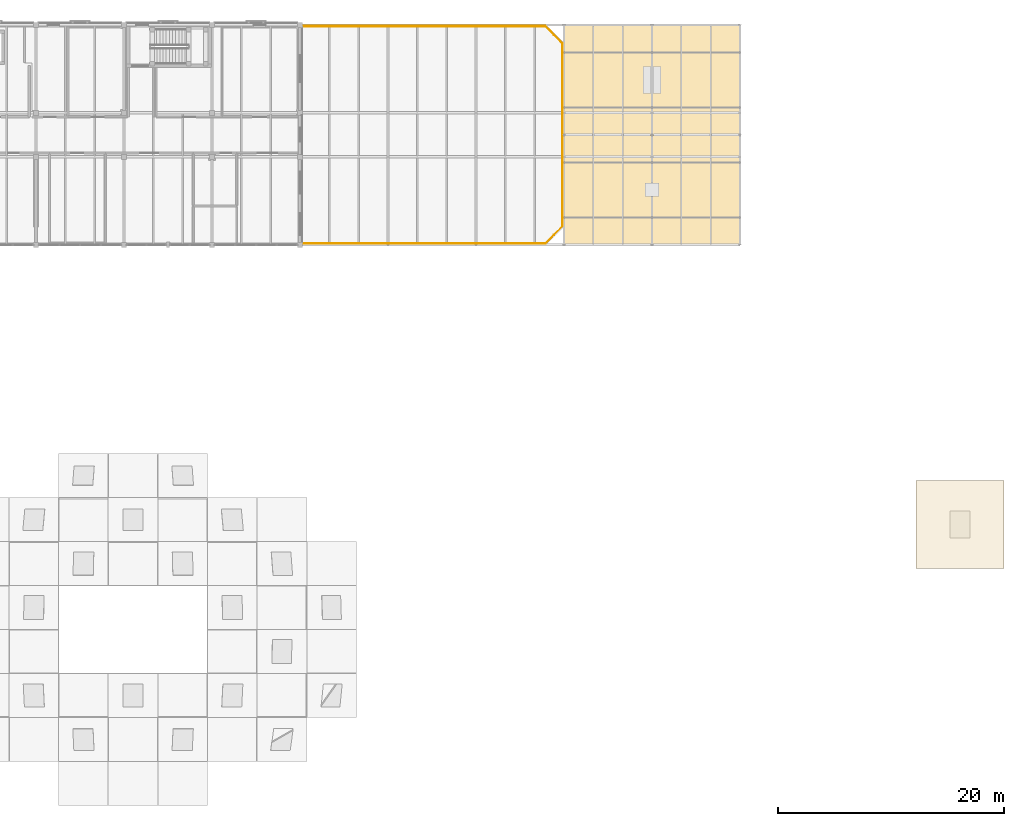
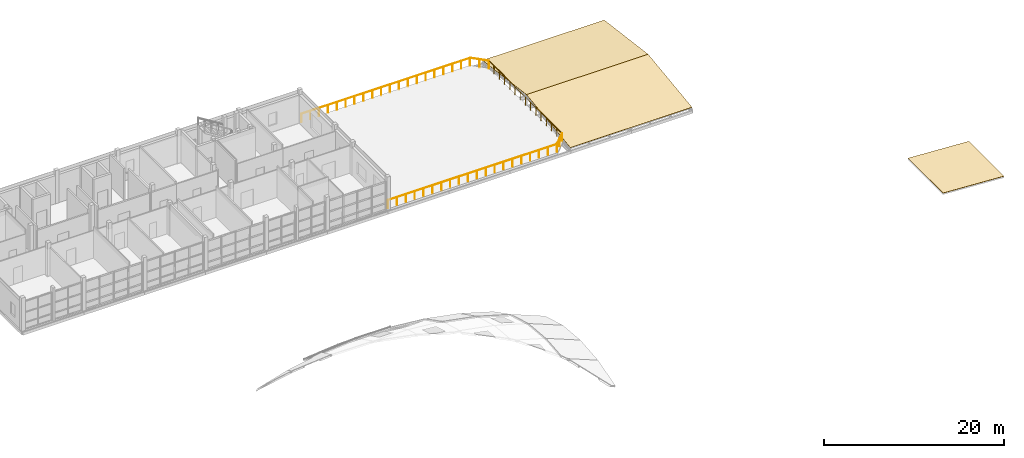
# One storey, part 45 of 45: 5 railings, 3 coverings.
"""IFC4 building model written with IfcOpenShell, lengths in metres."""

from ifc_helpers import new_model, si_unit, direction, frame, origin, origin_2d, place, context, subcontext, project, spatial, polyline, circle, outline, extrude, material, layer, layer_set, type_object, element, save


model = new_model("IFC4")

# Units and contexts
model_context = context("Model", 3, precision=1e-05, world=origin(), true_north=direction((0.0, 1.0)))
body_context = subcontext(model_context, "Body", "Model", "MODEL_VIEW")
ifc_project = project(units=[si_unit("LENGTHUNIT", "METRE"), si_unit("AREAUNIT", "SQUARE_METRE"), si_unit("VOLUMEUNIT", "CUBIC_METRE"), si_unit("PLANEANGLEUNIT", "RADIAN"), si_unit("MASSUNIT", "GRAM", prefix="KILO")], contexts=[model_context])

# Site, building, storey
site_placement = place(None, origin())
site = spatial("IfcSite", under=ifc_project, at=site_placement, CompositionType="ELEMENT")
building_placement = place(site_placement, origin())
building = spatial("IfcBuilding", under=site, at=building_placement, Name="Celorna Specialist Clinic", CompositionType="ELEMENT")
storey_placement = place(building_placement, frame((0.0, 0.0, 18.60009765625)))
storey = spatial("IfcBuildingStorey", under=building, at=storey_placement, Name="L04", CompositionType="ELEMENT", Elevation=18.60009765625)

# Railings
ifc_material_1 = material(Name="Stainless steel and laminated glass balustrade", Category="steel")
railing_type = type_object("IfcRailingType", Name="BL-01", PredefinedType="BALUSTRADE", material=ifc_material_1)
railing_1_placement = place(storey_placement, frame((93.719970703125, 115.8798828125, 0.0)))
element("IfcRailing", 1, at=railing_1_placement, inside=storey, type_object=railing_type, Name="Ophthalmology Roof Garden Terrace perimeter balustrade 2", PredefinedType="BALUSTRADE", context=body_context, shape_type="SweptSolid", body=[
    extrude(circle(Radius=0.02392578125, at=origin_2d()), frame((0.0, 0.0, 1.09619140625), z_axis=(1.0, 0.0, 0.0), x_axis=(0.0, 1.0, 0.0)), (0.0, 0.0, 1.0), 21.63037109375),
    extrude(circle(Radius=0.02099609375, at=origin_2d()), origin(), (0.0, 0.0, 1.0), 1.072021484375),
    extrude(circle(Radius=0.02099609375, at=origin_2d()), frame((1.138427734375, 0.0, 0.0)), (0.0, 0.0, 1.0), 1.072021484375),
    extrude(circle(Radius=0.02099609375, at=origin_2d()), frame((2.27685546875, 0.0, 0.0)), (0.0, 0.0, 1.0), 1.072021484375),
    extrude(circle(Radius=0.02099609375, at=origin_2d()), frame((3.415283203125, 0.0, 0.0)), (0.0, 0.0, 1.0), 1.072021484375),
    extrude(circle(Radius=0.02099609375, at=origin_2d()), frame((4.5537109375, 0.0, 0.0)), (0.0, 0.0, 1.0), 1.072021484375),
    extrude(circle(Radius=0.02099609375, at=origin_2d()), frame((5.692138671875, 0.0, 0.0)), (0.0, 0.0, 1.0), 1.072021484375),
    extrude(circle(Radius=0.02099609375, at=origin_2d()), frame((6.83056640625, 0.0, 0.0)), (0.0, 0.0, 1.0), 1.072021484375),
    extrude(circle(Radius=0.02099609375, at=origin_2d()), frame((7.968994140625, 0.0, 0.0)), (0.0, 0.0, 1.0), 1.072021484375),
    extrude(circle(Radius=0.02099609375, at=origin_2d()), frame((9.107421875, 0.0, 0.0)), (0.0, 0.0, 1.0), 1.072021484375),
    extrude(circle(Radius=0.02099609375, at=origin_2d()), frame((10.245849609375, 0.0, 0.0)), (0.0, 0.0, 1.0), 1.072021484375),
    extrude(circle(Radius=0.02099609375, at=origin_2d()), frame((11.384521484375, 0.0, 0.0)), (0.0, 0.0, 1.0), 1.072021484375),
    extrude(circle(Radius=0.02099609375, at=origin_2d()), frame((12.52294921875, 0.0, 0.0)), (0.0, 0.0, 1.0), 1.072021484375),
    extrude(circle(Radius=0.02099609375, at=origin_2d()), frame((13.661376953125, 0.0, 0.0)), (0.0, 0.0, 1.0), 1.072021484375),
    extrude(circle(Radius=0.02099609375, at=origin_2d()), frame((14.7998046875, 0.0, 0.0)), (0.0, 0.0, 1.0), 1.072021484375),
    extrude(circle(Radius=0.02099609375, at=origin_2d()), frame((15.938232421875, 0.0, 0.0)), (0.0, 0.0, 1.0), 1.072021484375),
    extrude(circle(Radius=0.02099609375, at=origin_2d()), frame((17.07666015625, 0.0, 0.0)), (0.0, 0.0, 1.0), 1.072021484375),
    extrude(circle(Radius=0.02099609375, at=origin_2d()), frame((18.215087890625, 0.0, 0.0)), (0.0, 0.0, 1.0), 1.072021484375),
    extrude(circle(Radius=0.02099609375, at=origin_2d()), frame((19.353515625, 0.0, 0.0)), (0.0, 0.0, 1.0), 1.072021484375),
    extrude(circle(Radius=0.02099609375, at=origin_2d()), frame((20.491943359375, 0.0, 0.0)), (0.0, 0.0, 1.0), 1.072021484375),
    extrude(circle(Radius=0.02099609375, at=origin_2d()), frame((21.63037109375, 0.0, 0.0)), (0.0, 0.0, 1.0), 1.072021484375),
])
railing_2_placement = place(storey_placement, frame((115.350341796875, 115.8798828125, 0.0)))
element("IfcRailing", 2, at=railing_2_placement, inside=storey, type_object=railing_type, Name="Ophthalmology Roof Garden Terrace perimeter balustrade 3", PredefinedType="BALUSTRADE", context=body_context, shape_type="SweptSolid", body=[
    extrude(circle(Radius=0.02392578125, at=origin_2d()), frame((0.0, 0.0, 1.09619140625), z_axis=(0.707106781187, -0.707106781187, 0.0), x_axis=(0.707106781187, 0.707106781187, 0.0)), (0.0, 0.0, 1.0), 2.1630859375),
    extrude(circle(Radius=0.02099609375, at=origin_2d()), origin(), (0.0, 0.0, 1.0), 1.072021484375),
    extrude(circle(Radius=0.02099609375, at=origin_2d()), frame((0.7646484375, -0.7646484375, 0.0)), (0.0, 0.0, 1.0), 1.072021484375),
    extrude(circle(Radius=0.02099609375, at=origin_2d()), frame((1.529541015625, -1.529541015625, 0.0)), (0.0, 0.0, 1.0), 1.072021484375),
])
railing_3_placement = place(storey_placement, frame((116.8798828125, 114.350341796875, 0.0)))
element("IfcRailing", 3, at=railing_3_placement, inside=storey, type_object=railing_type, Name="Ophthalmology Roof Garden Terrace perimeter balustrade 4", PredefinedType="BALUSTRADE", context=body_context, shape_type="SweptSolid", body=[
    extrude(circle(Radius=0.02392578125, at=origin_2d()), frame((0.0, 0.0, 1.09619140625), z_axis=(0.0, -1.0, 0.0), x_axis=(1.0, 0.0, 0.0)), (0.0, 0.0, 1.0), 16.20068359375),
    extrude(circle(Radius=0.02099609375, at=origin_2d()), origin(), (0.0, 0.0, 1.0), 1.072021484375),
    extrude(circle(Radius=0.02099609375, at=origin_2d()), frame((0.0, -1.1572265625, 0.0)), (0.0, 0.0, 1.0), 1.072021484375),
    extrude(circle(Radius=0.02099609375, at=origin_2d()), frame((0.0, -2.314453125, 0.0)), (0.0, 0.0, 1.0), 1.072021484375),
    extrude(circle(Radius=0.02099609375, at=origin_2d()), frame((0.0, -3.4716796875, 0.0)), (0.0, 0.0, 1.0), 1.072021484375),
    extrude(circle(Radius=0.02099609375, at=origin_2d()), frame((0.0, -4.628662109375, 0.0)), (0.0, 0.0, 1.0), 1.072021484375),
    extrude(circle(Radius=0.02099609375, at=origin_2d()), frame((0.0, -5.785888671875, 0.0)), (0.0, 0.0, 1.0), 1.072021484375),
    extrude(circle(Radius=0.02099609375, at=origin_2d()), frame((0.0, -6.943115234375, 0.0)), (0.0, 0.0, 1.0), 1.072021484375),
    extrude(circle(Radius=0.02099609375, at=origin_2d()), frame((0.0, -8.100341796875, 0.0)), (0.0, 0.0, 1.0), 1.072021484375),
    extrude(circle(Radius=0.02099609375, at=origin_2d()), frame((0.0, -9.257568359375, 0.0)), (0.0, 0.0, 1.0), 1.072021484375),
    extrude(circle(Radius=0.02099609375, at=origin_2d()), frame((0.0, -10.414794921875, 0.0)), (0.0, 0.0, 1.0), 1.072021484375),
    extrude(circle(Radius=0.02099609375, at=origin_2d()), frame((0.0, -11.572021484375, 0.0)), (0.0, 0.0, 1.0), 1.072021484375),
    extrude(circle(Radius=0.02099609375, at=origin_2d()), frame((0.0, -12.72900390625, 0.0)), (0.0, 0.0, 1.0), 1.072021484375),
    extrude(circle(Radius=0.02099609375, at=origin_2d()), frame((0.0, -13.88623046875, 0.0)), (0.0, 0.0, 1.0), 1.072021484375),
    extrude(circle(Radius=0.02099609375, at=origin_2d()), frame((0.0, -15.04345703125, 0.0)), (0.0, 0.0, 1.0), 1.072021484375),
    extrude(circle(Radius=0.02099609375, at=origin_2d()), frame((0.0, -16.20068359375, 0.0)), (0.0, 0.0, 1.0), 1.072021484375),
])
railing_4_placement = place(storey_placement, frame((116.8798828125, 98.149658203125, 0.0)))
element("IfcRailing", 4, at=railing_4_placement, inside=storey, type_object=railing_type, Name="Ophthalmology Roof Garden Terrace perimeter balustrade 5", PredefinedType="BALUSTRADE", context=body_context, shape_type="SweptSolid", body=[
    extrude(circle(Radius=0.02392578125, at=origin_2d()), frame((0.0, 0.0, 1.09619140625), z_axis=(-0.707106781187, -0.707106781187, 0.0), x_axis=(0.707106781187, -0.707106781187, 0.0)), (0.0, 0.0, 1.0), 2.1630859375),
    extrude(circle(Radius=0.02099609375, at=origin_2d()), origin(), (0.0, 0.0, 1.0), 1.072021484375),
    extrude(circle(Radius=0.02099609375, at=origin_2d()), frame((-0.7646484375, -0.7646484375, 0.0)), (0.0, 0.0, 1.0), 1.072021484375),
    extrude(circle(Radius=0.02099609375, at=origin_2d()), frame((-1.529541015625, -1.529541015625, 0.0)), (0.0, 0.0, 1.0), 1.072021484375),
])
railing_5_placement = place(storey_placement, frame((115.350341796875, 96.6201171875, 0.0)))
element("IfcRailing", 5, at=railing_5_placement, inside=storey, type_object=railing_type, Name="Ophthalmology Roof Garden Terrace perimeter balustrade 6", PredefinedType="BALUSTRADE", context=body_context, shape_type="SweptSolid", body=[
    extrude(circle(Radius=0.02392578125, at=origin_2d()), frame((0.0, 0.0, 1.09619140625), z_axis=(-1.0, 0.0, 0.0), x_axis=(0.0, -1.0, 0.0)), (0.0, 0.0, 1.0), 21.63037109375),
    extrude(circle(Radius=0.02099609375, at=origin_2d()), origin(), (0.0, 0.0, 1.0), 1.072021484375),
    extrude(circle(Radius=0.02099609375, at=origin_2d()), frame((-1.138427734375, 0.0, 0.0)), (0.0, 0.0, 1.0), 1.072021484375),
    extrude(circle(Radius=0.02099609375, at=origin_2d()), frame((-2.27685546875, 0.0, 0.0)), (0.0, 0.0, 1.0), 1.072021484375),
    extrude(circle(Radius=0.02099609375, at=origin_2d()), frame((-3.415283203125, 0.0, 0.0)), (0.0, 0.0, 1.0), 1.072021484375),
    extrude(circle(Radius=0.02099609375, at=origin_2d()), frame((-4.5537109375, 0.0, 0.0)), (0.0, 0.0, 1.0), 1.072021484375),
    extrude(circle(Radius=0.02099609375, at=origin_2d()), frame((-5.692138671875, 0.0, 0.0)), (0.0, 0.0, 1.0), 1.072021484375),
    extrude(circle(Radius=0.02099609375, at=origin_2d()), frame((-6.83056640625, 0.0, 0.0)), (0.0, 0.0, 1.0), 1.072021484375),
    extrude(circle(Radius=0.02099609375, at=origin_2d()), frame((-7.968994140625, 0.0, 0.0)), (0.0, 0.0, 1.0), 1.072021484375),
    extrude(circle(Radius=0.02099609375, at=origin_2d()), frame((-9.107421875, 0.0, 0.0)), (0.0, 0.0, 1.0), 1.072021484375),
    extrude(circle(Radius=0.02099609375, at=origin_2d()), frame((-10.245849609375, 0.0, 0.0)), (0.0, 0.0, 1.0), 1.072021484375),
    extrude(circle(Radius=0.02099609375, at=origin_2d()), frame((-11.384521484375, 0.0, 0.0)), (0.0, 0.0, 1.0), 1.072021484375),
    extrude(circle(Radius=0.02099609375, at=origin_2d()), frame((-12.52294921875, 0.0, 0.0)), (0.0, 0.0, 1.0), 1.072021484375),
    extrude(circle(Radius=0.02099609375, at=origin_2d()), frame((-13.661376953125, 0.0, 0.0)), (0.0, 0.0, 1.0), 1.072021484375),
    extrude(circle(Radius=0.02099609375, at=origin_2d()), frame((-14.7998046875, 0.0, 0.0)), (0.0, 0.0, 1.0), 1.072021484375),
    extrude(circle(Radius=0.02099609375, at=origin_2d()), frame((-15.938232421875, 0.0, 0.0)), (0.0, 0.0, 1.0), 1.072021484375),
    extrude(circle(Radius=0.02099609375, at=origin_2d()), frame((-17.07666015625, 0.0, 0.0)), (0.0, 0.0, 1.0), 1.072021484375),
    extrude(circle(Radius=0.02099609375, at=origin_2d()), frame((-18.215087890625, 0.0, 0.0)), (0.0, 0.0, 1.0), 1.072021484375),
    extrude(circle(Radius=0.02099609375, at=origin_2d()), frame((-19.353515625, 0.0, 0.0)), (0.0, 0.0, 1.0), 1.072021484375),
    extrude(circle(Radius=0.02099609375, at=origin_2d()), frame((-20.491943359375, 0.0, 0.0)), (0.0, 0.0, 1.0), 1.072021484375),
    extrude(circle(Radius=0.02099609375, at=origin_2d()), frame((-21.63037109375, 0.0, 0.0)), (0.0, 0.0, 1.0), 1.072021484375),
])

# Coverings
ifc_material_2 = material(Name="Standing-seam zinc and EPDM acoustic roofing membrane")
ifc_layer = layer(ifc_material_2, 0.0400390625, Name="Standing-seam zinc and EPDM acoustic roofing membrane")
ifc_layer_set = layer_set([ifc_layer], Name="Standing-seam zinc and EPDM acoustic roofing membrane")
covering_type = type_object("IfcCoveringType", Name="RFG-01", PredefinedType="ROOFING", material=ifc_layer_set)
covering_placement = place(storey_placement, frame((148.199951171875, 67.800048828125, 0.4443359375), z_axis=(0.05665554264, 0.0, 0.99839378478), x_axis=(0.99839378478, 0.0, -0.05665554264)))
element("IfcCovering", 6, at=covering_placement, inside=storey, type_object=covering_type, Name="GSH-V3 gridshell standing-seam roofing 3-2", PredefinedType="ROOFING", context=body_context, shape_type="SweptSolid", body=[
    extrude(outline(polyline([(0.0, 0.0), (7.812597541200168, 0.0), (7.812597541200168, 7.800048828125), (0.0, 7.800048828125), (0.0, 0.0)])), origin(), (0.0, 0.0, -1.0), 0.0400390625),
])
for number, where, z_axis, x_axis, name in (
    (7, (117.0, 96.5, 0.119873046875), (0.0, -0.129167216148, 0.991622826619), (1.0, 0.0, 0.0), "Standing-seam zinc roofing ROOF-V4-MID-S"),
    (8, (117.0, 106.25, 1.389892578125), (0.0, 0.129167216148, 0.991622826619), (1.0, 0.0, 0.0), "Standing-seam zinc roofing ROOF-V4-MID-N"),
):
    element("IfcCovering", number, at=place(storey_placement, frame(where, z_axis=z_axis, x_axis=x_axis)), inside=storey, type_object=covering_type, Name=name, PredefinedType="ROOFING", context=body_context, shape_type="SweptSolid", body=[
        extrude(outline(polyline([(0.0, 0.0), (15.60009765625, 0.0), (15.60009765625, 9.832367446843941), (0.0, 9.832367446843941), (0.0, 0.0)])), origin(), (0.0, 0.0, -1.0), 0.0400390625),
    ])

save(model, "model.ifc")
